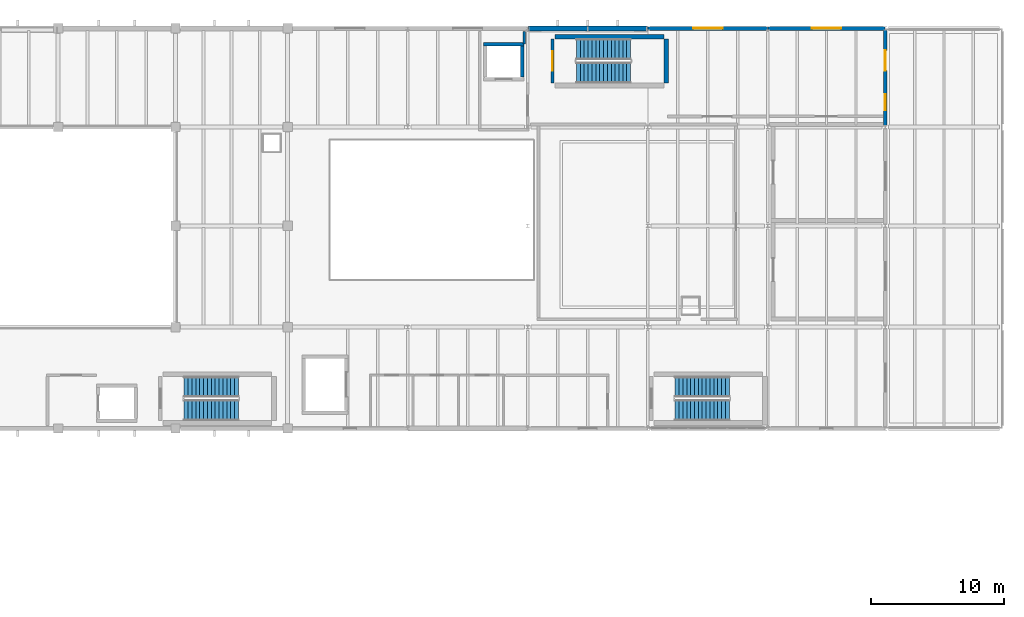
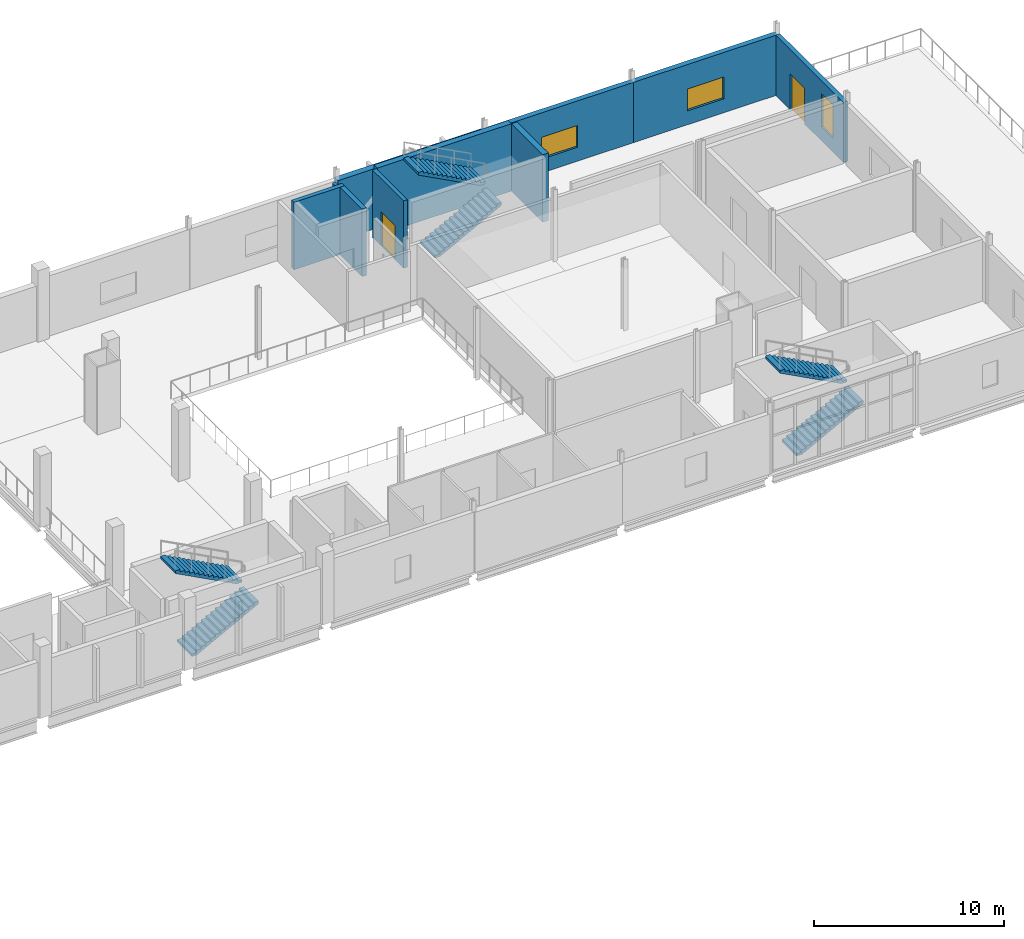
# One storey, part 32 of 37: 10 walls, 6 stair flights, 3 windows, 2 doors, 5 openings, 3 elements without a shape of their own.
"""IFC4 building model written with IfcOpenShell, lengths in metres."""

from ifc_helpers import new_model, si_unit, direction, frame, frame_2d, origin, place, context, subcontext, project, spatial, polyline, rectangle, outline, extrude, material, layer, layer_set, type_object, element, fill, aggregate, save


model = new_model("IFC4")

# Units and contexts
model_context = context("Model", 3, precision=1e-05, world=origin(), true_north=direction((0.0, 1.0)))
body_context = subcontext(model_context, "Body", "Model", "MODEL_VIEW")
ifc_project = project(units=[si_unit("LENGTHUNIT", "METRE"), si_unit("AREAUNIT", "SQUARE_METRE"), si_unit("VOLUMEUNIT", "CUBIC_METRE"), si_unit("PLANEANGLEUNIT", "RADIAN"), si_unit("MASSUNIT", "GRAM", prefix="KILO")], contexts=[model_context])

# Site, building, storey
site_placement = place(None, origin())
site = spatial("IfcSite", under=ifc_project, at=site_placement, CompositionType="ELEMENT")
building_placement = place(site_placement, origin())
building = spatial("IfcBuilding", under=site, at=building_placement, Name="Shengluoqiao Park Theatre", CompositionType="ELEMENT")
storey_placement = place(building_placement, frame((0.0, 0.0, 19.199951171875)))
storey = spatial("IfcBuildingStorey", under=building, at=storey_placement, Name="L04", CompositionType="ELEMENT", Elevation=19.199951171875)

# Wall, openings, door, window
ifc_material_1 = material(Name="Concrete C40", Category="concrete")
ifc_layer_1 = layer(ifc_material_1, 0.27001953125, Name="Concrete C40")
ifc_layer_set_1 = layer_set([ifc_layer_1], Name="Concrete C40")
wall_type_1 = type_object("IfcWallType", Name="ENV-WL-CONC270", PredefinedType="STANDARD", material=ifc_layer_set_1)
wall_1_placement = place(storey_placement, frame((157.199951171875, 106.72900390625, 0.0), z_axis=(0.0, 0.0, 1.0), x_axis=(0.0, 1.0, 0.0)))
wall_1 = element("IfcWall", 1, at=wall_1_placement, inside=storey, type_object=wall_type_1, Name="L04 Exterior Wall 0263", PredefinedType="STANDARD", context=body_context, shape_type="SweptSolid", body=[
    extrude(rectangle(XDim=7.14208984375, YDim=0.27001953125, at=frame_2d((3.571044921875, 0.0))), origin(), (0.0, 0.0, 1.0), 3.8779296875),
])
opening_1_placement = place(wall_1_placement, frame((1.114013671875, 0.0, 0.89990234375)))
opening_1 = element("IfcOpeningElement", 2, at=opening_1_placement, cuts=wall_1, Name="Opening W-04", PredefinedType="OPENING", context=body_context, shape_type="SweptSolid", body=[
    extrude(rectangle(XDim=1.199951171875, YDim=2.14990234375, at=frame_2d((0.60009765625, 1.074951171875))), frame((0.0, 0.14501953125, 0.0), z_axis=(0.0, -1.0, 0.0), x_axis=(1.0, 0.0, 0.0)), (0.0, 0.0, 1.0), 0.2900390625),
])
opening_2_placement = place(wall_1_placement, frame((4.0966796875, 0.0, 0.0)))
opening_2 = element("IfcOpeningElement", 3, at=opening_2_placement, cuts=wall_1, Name="Opening TD-RG6-022", PredefinedType="OPENING", context=body_context, shape_type="SweptSolid", body=[
    extrude(rectangle(XDim=1.52001953125, YDim=2.300048828125, at=frame_2d((0.760009765625, 1.14990234375))), frame((0.0, 0.14501953125, 0.0), z_axis=(0.0, -1.0, 0.0), x_axis=(1.0, 0.0, 0.0)), (0.0, 0.0, 1.0), 0.2900390625),
])
ifc_material_2 = material(Name="Aluminium 6063-T6", Category="aluminium")
door_type_1 = type_object("IfcDoorType", Name="ENV-DR-TER152", OperationType="DOUBLE_DOOR_SINGLE_SWING", PredefinedType="DOOR", material=ifc_material_2)
door_1_placement = place(opening_2_placement, origin())
door_1 = element("IfcDoor", 4, at=door_1_placement, inside=storey, type_object=door_type_1, Name="V6 East Roof Garden Terrace Door TD-RG6-022", OperationType="DOUBLE_DOOR_SINGLE_SWING", OverallHeight=2.300048828125, OverallWidth=1.52001953125, PredefinedType="DOOR", context=body_context, shape_type="SweptSolid", body=[
    extrude(rectangle(XDim=1.52001953125, YDim=2.300048828125, at=frame_2d((0.760009765625, 1.14990234375))), frame((0.0, 0.02490234375, 0.0), z_axis=(0.0, -1.0, 0.0), x_axis=(1.0, 0.0, 0.0)), (0.0, 0.0, 1.0), 0.050048828125),
])
fill(opening_2, door_1)
ifc_material_3 = material(Name="Insulated glass", Category="glass")
window_type_1 = type_object("IfcWindowType", Name="ENV-WIN-W04", PartitioningType="SINGLE_PANEL", PredefinedType="WINDOW", material=ifc_material_3)
window_1_placement = place(opening_1_placement, origin())
window_1 = element("IfcWindow", 5, at=window_1_placement, inside=storey, type_object=window_type_1, Name="L04 Acoustic Window 0103", OverallHeight=2.14990234375, OverallWidth=1.199951171875, PartitioningType="SINGLE_PANEL", PredefinedType="WINDOW", context=body_context, shape_type="SweptSolid", body=[
    extrude(rectangle(XDim=1.199951171875, YDim=2.14990234375, at=frame_2d((0.60009765625, 1.074951171875))), frame((0.0, 0.030029296875, 0.0), z_axis=(0.0, -1.0, 0.0), x_axis=(1.0, 0.0, 0.0)), (0.0, 0.0, 1.0), 0.06005859375),
])
fill(opening_1, window_1)

# Wall, opening, window
ifc_layer_2 = layer(ifc_material_1, 0.31005859375, Name="Concrete C40")
ifc_layer_set_2 = layer_set([ifc_layer_2], Name="Concrete C40")
wall_type_2 = type_object("IfcWallType", Name="ENV-WL-CONC310", PredefinedType="STANDARD", material=ifc_layer_set_2)
wall_2_placement = place(storey_placement, frame((139.409912109375, 114.0, 0.0), z_axis=(0.0, 0.0, 1.0), x_axis=(1.0, 0.0, 0.0)))
wall_2 = element("IfcWall", 6, at=wall_2_placement, inside=storey, type_object=wall_type_2, Name="L04 Exterior Wall 0254", PredefinedType="STANDARD", context=body_context, shape_type="SweptSolid", body=[
    extrude(rectangle(XDim=8.97998046875, YDim=0.31005859375, at=frame_2d((4.489990234375, 0.0))), origin(), (0.0, 0.0, 1.0), 3.8779296875),
])
opening_3_placement = place(wall_2_placement, frame((3.389892578125, 0.0, 0.89990234375)))
opening_3 = element("IfcOpeningElement", 7, at=opening_3_placement, cuts=wall_2, Name="Opening W-10", PredefinedType="OPENING", context=body_context, shape_type="SweptSolid", body=[
    extrude(rectangle(XDim=2.199951171875, YDim=1.39990234375, at=frame_2d((1.10009765625, 0.699951171875))), frame((0.0, 0.1650390625, 0.0), z_axis=(0.0, -1.0, 0.0), x_axis=(1.0, 0.0, 0.0)), (0.0, 0.0, 1.0), 0.330078125),
])
window_type_2 = type_object("IfcWindowType", Name="ENV-WIN-W10", PartitioningType="DOUBLE_PANEL_VERTICAL", PredefinedType="WINDOW", material=ifc_material_3)
window_2_placement = place(opening_3_placement, origin())
window_2 = element("IfcWindow", 8, at=window_2_placement, inside=storey, type_object=window_type_2, Name="L04 Acoustic Window 0095", OverallHeight=1.39990234375, OverallWidth=2.199951171875, PartitioningType="DOUBLE_PANEL_VERTICAL", PredefinedType="WINDOW", context=body_context, shape_type="SweptSolid", body=[
    extrude(rectangle(XDim=2.199951171875, YDim=1.39990234375, at=frame_2d((1.10009765625, 0.699951171875))), frame((0.0, 0.030029296875, 0.0), z_axis=(0.0, -1.0, 0.0), x_axis=(1.0, 0.0, 0.0)), (0.0, 0.0, 1.0), 0.06005859375),
])
fill(opening_3, window_2)

wall_3_placement = place(storey_placement, frame((148.409912109375, 114.0, 0.0), z_axis=(0.0, 0.0, 1.0), x_axis=(1.0, 0.0, 0.0)))
wall_3 = element("IfcWall", 9, at=wall_3_placement, inside=storey, type_object=wall_type_2, Name="L04 Exterior Wall 0255", PredefinedType="STANDARD", context=body_context, shape_type="SweptSolid", body=[
    extrude(rectangle(XDim=8.780029296875, YDim=0.31005859375, at=frame_2d((4.39013671875, 0.0))), origin(), (0.0, 0.0, 1.0), 3.8779296875),
])
opening_4_placement = place(wall_3_placement, frame((3.2900390625, 0.0, 0.89990234375)))
opening_4 = element("IfcOpeningElement", 10, at=opening_4_placement, cuts=wall_3, Name="Opening W-10", PredefinedType="OPENING", context=body_context, shape_type="SweptSolid", body=[
    extrude(rectangle(XDim=2.199951171875, YDim=1.39990234375, at=frame_2d((1.10009765625, 0.699951171875))), frame((0.0, 0.1650390625, 0.0), z_axis=(0.0, -1.0, 0.0), x_axis=(1.0, 0.0, 0.0)), (0.0, 0.0, 1.0), 0.330078125),
])
window_3_placement = place(opening_4_placement, origin())
window_3 = element("IfcWindow", 11, at=window_3_placement, inside=storey, type_object=window_type_2, Name="L04 Acoustic Window 0096", OverallHeight=1.39990234375, OverallWidth=2.199951171875, PartitioningType="DOUBLE_PANEL_VERTICAL", PredefinedType="WINDOW", context=body_context, shape_type="SweptSolid", body=[
    extrude(rectangle(XDim=2.199951171875, YDim=1.39990234375, at=frame_2d((1.10009765625, 0.699951171875))), frame((0.0, 0.030029296875, 0.0), z_axis=(0.0, -1.0, 0.0), x_axis=(1.0, 0.0, 0.0)), (0.0, 0.0, 1.0), 0.06005859375),
])
fill(opening_4, window_3)

# Walls
ifc_material_4 = material(Name="Concrete C45", Category="concrete")
ifc_layer_3 = layer(ifc_material_4, 0.3798828125, Name="Concrete C45")
ifc_layer_set_3 = layer_set([ifc_layer_3], Name="Concrete C45")
wall_type_3 = type_object("IfcWallType", Name="ENV-WL-CONC380", PredefinedType="STANDARD", material=ifc_layer_set_3)
wall_4_placement = place(storey_placement, frame((130.409912109375, 114.0, 0.0), z_axis=(0.0, 0.0, 1.0), x_axis=(1.0, 0.0, 0.0)))
element("IfcWall", 12, at=wall_4_placement, inside=storey, type_object=wall_type_3, Name="L04 Exterior Wall 0253", PredefinedType="STANDARD", context=body_context, shape_type="SweptSolid", body=[
    extrude(rectangle(XDim=8.97998046875, YDim=0.3798828125, at=frame_2d((4.489990234375, 0.0))), origin(), (0.0, 0.0, 1.0), 3.8779296875),
])
ifc_material_5 = material(Name="Concrete blockwork B06", Category="masonry")
ifc_layer_4 = layer(ifc_material_5, 0.195068359375, Name="Concrete blockwork B06")
ifc_layer_set_4 = layer_set([ifc_layer_4], Name="Concrete blockwork B06")
wall_type_4 = type_object("IfcWallType", Name="INT-WL-FFL195", PredefinedType="PARTITIONING", material=ifc_layer_set_4)
wall_5_placement = place(storey_placement, frame((130.139892578125, 112.820068359375, 0.0), z_axis=(0.0, 0.0, 1.0), x_axis=(0.0, 1.0, 0.0)))
element("IfcWall", 13, at=wall_5_placement, inside=storey, type_object=wall_type_4, Name="L04 Firefighting Lift Lobby FF2 Fire Wall N", PredefinedType="PARTITIONING", context=body_context, shape_type="SweptSolid", body=[
    extrude(rectangle(XDim=0.9599609375, YDim=0.195068359375, at=frame_2d((0.47998046875, 0.0))), origin(), (0.0, 0.0, 1.0), 3.8779296875),
])
ifc_layer_5 = layer(ifc_material_1, 0.260009765625, Name="Concrete C40")
ifc_layer_set_5 = layer_set([ifc_layer_5], Name="Concrete C40")
wall_type_5 = type_object("IfcWallType", Name="INT-WL-SHF260", PredefinedType="STANDARD", material=ifc_layer_set_5)
wall_6_placement = place(storey_placement, frame((127.070068359375, 112.800048828125, 0.0), z_axis=(0.0, 0.0, 1.0), x_axis=(1.0, 0.0, 0.0)))
element("IfcWall", 14, at=wall_6_placement, inside=storey, type_object=wall_type_5, Name="L04 FF2 Lift Shaft Wall North", PredefinedType="STANDARD", context=body_context, shape_type="SweptSolid", body=[
    extrude(rectangle(XDim=3.059814453125, YDim=0.260009765625, at=frame_2d((1.52978515625, 0.0))), origin(), (0.0, 0.0, 1.0), 4.340087890625),
])
wall_7_placement = place(storey_placement, frame((130.0, 110.3359375, 0.0), z_axis=(0.0, 0.0, 1.0), x_axis=(0.0, 1.0, 0.0)))
element("IfcWall", 15, at=wall_7_placement, inside=storey, type_object=wall_type_5, Name="L04 FF2 Lift Shaft Wall East", PredefinedType="STANDARD", context=body_context, shape_type="SweptSolid", body=[
    extrude(rectangle(XDim=2.328125, YDim=0.260009765625, at=frame_2d((1.1640625, 0.0))), origin(), (0.0, 0.0, 1.0), 4.340087890625),
])

# Wall, opening, door
ifc_layer_6 = layer(ifc_material_1, 0.239990234375, Name="Concrete C40")
ifc_layer_set_6 = layer_set([ifc_layer_6], Name="Concrete C40")
wall_type_6 = type_object("IfcWallType", Name="INT-WL-STW240", PredefinedType="STANDARD", material=ifc_layer_set_6)
wall_8_placement = place(storey_placement, frame((132.260009765625, 109.909912109375, 0.0), z_axis=(0.0, 0.0, 1.0), x_axis=(0.0, 1.0, 0.0)))
wall_8 = element("IfcWall", 16, at=wall_8_placement, inside=storey, type_object=wall_type_6, Name="L04 ST-06 Stairwell Fire Wall", PredefinedType="STANDARD", context=body_context, shape_type="SweptSolid", body=[
    extrude(rectangle(XDim=3.280029296875, YDim=0.239990234375, at=frame_2d((1.64013671875, 0.0))), origin(), (0.0, 0.0, 1.0), 4.340087890625),
])
opening_5_placement = place(wall_8_placement, frame((0.9150390625, 0.0, 0.0)))
opening_5 = element("IfcOpeningElement", 17, at=opening_5_placement, cuts=wall_8, Name="Opening SD-06-L04", PredefinedType="OPENING", context=body_context, shape_type="SweptSolid", body=[
    extrude(rectangle(XDim=1.449951171875, YDim=2.199951171875, at=frame_2d((0.72509765625, 1.10009765625))), frame((0.0, 0.1298828125, 0.0), z_axis=(0.0, -1.0, 0.0), x_axis=(1.0, 0.0, 0.0)), (0.0, 0.0, 1.0), 0.260009765625),
])
ifc_material_6 = material(Name="Steel Q355", Category="steel")
door_type_2 = type_object("IfcDoorType", Name="INT-DR-STW145", OperationType="DOUBLE_DOOR_SINGLE_SWING", PredefinedType="DOOR", material=ifc_material_6)
door_2_placement = place(opening_5_placement, origin())
door_2 = element("IfcDoor", 18, at=door_2_placement, inside=storey, type_object=door_type_2, Name="L04 ST-06 Escape Stair Door SD-06-L04", OperationType="DOUBLE_DOOR_SINGLE_SWING", OverallHeight=2.199951171875, OverallWidth=1.449951171875, PredefinedType="DOOR", context=body_context, shape_type="SweptSolid", body=[
    extrude(rectangle(XDim=1.449951171875, YDim=2.199951171875, at=frame_2d((0.72509765625, 1.10009765625))), frame((0.0, 0.02490234375, 0.0), z_axis=(0.0, -1.0, 0.0), x_axis=(1.0, 0.0, 0.0)), (0.0, 0.0, 1.0), 0.050048828125),
])
fill(opening_5, door_2)

# Walls
ifc_material_7 = material(Name="Concrete C50", Category="concrete")
ifc_layer_7 = layer(ifc_material_7, 0.35009765625, Name="Concrete C50")
ifc_layer_set_7 = layer_set([ifc_layer_7], Name="Concrete C50")
wall_type_7 = type_object("IfcWallType", Name="STR-SW-CORE350", PredefinedType="SHEAR", material=ifc_layer_set_7)
wall_9_placement = place(storey_placement, frame((140.780029296875, 109.89990234375, 0.0), z_axis=(0.0, 0.0, 1.0), x_axis=(0.0, 1.0, 0.0)))
element("IfcWall", 19, at=wall_9_placement, inside=storey, type_object=wall_type_7, Name="L04 ST-06 Core Far Shear Wall 0122", PredefinedType="SHEAR", context=body_context, shape_type="SweptSolid", body=[
    extrude(rectangle(XDim=3.300048828125, YDim=0.35009765625, at=frame_2d((1.64990234375, 0.0))), origin(), (0.0, 0.0, 1.0), 4.340087890625),
])
wall_10_placement = place(storey_placement, frame((140.60009765625, 113.3798828125, 0.0), z_axis=(0.0, 0.0, 1.0), x_axis=(-1.0, 0.0, 0.0)))
element("IfcWall", 20, at=wall_10_placement, inside=storey, type_object=wall_type_7, Name="L04 ST-06 Core Right Shear Wall 0123", PredefinedType="SHEAR", context=body_context, shape_type="SweptSolid", body=[
    extrude(rectangle(XDim=8.150146484375, YDim=0.35009765625, at=frame_2d((4.0751953125, 0.0))), origin(), (0.0, 0.0, 1.0), 4.340087890625),
])

# Stair, stair flights
stair_type = type_object("IfcStairType", Name="INT-STR-CORE", PredefinedType="HALF_TURN_STAIR", material=ifc_material_1)
stair_1_placement = place(storey_placement, origin())
stair_1 = element("IfcStair", 21, at=stair_1_placement, inside=storey, type_object=stair_type, Name="L04 Stage and Fly Tower Escape Stair 05", PredefinedType="HALF_TURN_STAIR")
ifc_layer_8 = layer(ifc_material_1, 0.159912109375, Name="Concrete C40")
ifc_layer_set_8 = layer_set([ifc_layer_8], Name="Concrete C40")
stair_flight_type = type_object("IfcStairFlightType", Name="INT-SFL-156", PredefinedType="STRAIGHT", material=ifc_layer_set_8)
stair_flight_1_placement = place(storey_placement, frame((104.64990234375, 85.3798828125, 0.0), z_axis=(0.0, 0.0, 1.0), x_axis=(1.0, 0.0, 0.0)))
stair_flight_1 = element("IfcStairFlight", 22, at=stair_flight_1_placement, type_object=stair_flight_type, Name="ST-05 flight 1", NumberOfRisers=15, NumberOfTreads=14, PredefinedType="STRAIGHT", RiserHeight=0.153333333, TreadLength=0.29, context=body_context, shape_type="SweptSolid", body=[
    extrude(outline(polyline([(0.0, 0.0), (0.0, 0.1533203125), (0.2900390625, 0.1533203125), (0.2900390625, 0.306640625), (0.580078125, 0.306640625), (0.580078125, 0.4599609375), (0.8701171875, 0.4599609375), (0.8701171875, 0.61328125), (1.159912109375, 0.61328125), (1.159912109375, 0.7666015625), (1.449951171875, 0.7666015625), (1.449951171875, 0.919921875), (1.739990234375, 0.919921875), (1.739990234375, 1.0732421875), (2.030029296875, 1.0732421875), (2.030029296875, 1.2265625), (2.320068359375, 1.2265625), (2.320068359375, 1.3798828125), (2.610107421875, 1.3798828125), (2.610107421875, 1.533447265625), (2.89990234375, 1.533447265625), (2.89990234375, 1.686767578125), (3.18994140625, 1.686767578125), (3.18994140625, 1.840087890625), (3.47998046875, 1.840087890625), (3.47998046875, 1.993408203125), (3.77001953125, 1.993408203125), (3.77001953125, 2.146728515625), (4.06005859375, 2.146728515625), (4.06005859375, 2.300048828125), (4.06005859375, 1.97705078125), (0.32080078125, 0.0), (0.0, 0.0)])), frame((0.0, 0.780029296875, 0.0), z_axis=(0.0, -1.0, 0.0), x_axis=(1.0, 0.0, 0.0)), (0.0, 0.0, 1.0), 1.56005859375),
])
stair_flight_2_placement = place(storey_placement, frame((108.7099609375, 87.1201171875, 2.300048828125), z_axis=(0.0, 0.0, 1.0), x_axis=(-1.0, 0.0, 0.0)))
stair_flight_2 = element("IfcStairFlight", 23, at=stair_flight_2_placement, type_object=stair_flight_type, Name="ST-05 flight 2", NumberOfRisers=15, NumberOfTreads=14, PredefinedType="STRAIGHT", RiserHeight=0.153333333, TreadLength=0.29, context=body_context, shape_type="SweptSolid", body=[
    extrude(outline(polyline([(0.0, 0.0), (0.0, 0.1533203125), (0.2900390625, 0.1533203125), (0.2900390625, 0.306640625), (0.580078125, 0.306640625), (0.580078125, 0.4599609375), (0.8701171875, 0.4599609375), (0.8701171875, 0.61328125), (1.159912109375, 0.61328125), (1.159912109375, 0.7666015625), (1.449951171875, 0.7666015625), (1.449951171875, 0.919921875), (1.739990234375, 0.919921875), (1.739990234375, 1.0732421875), (2.030029296875, 1.0732421875), (2.030029296875, 1.2265625), (2.320068359375, 1.2265625), (2.320068359375, 1.3798828125), (2.610107421875, 1.3798828125), (2.610107421875, 1.533447265625), (2.89990234375, 1.533447265625), (2.89990234375, 1.686767578125), (3.18994140625, 1.686767578125), (3.18994140625, 1.840087890625), (3.47998046875, 1.840087890625), (3.47998046875, 1.993408203125), (3.77001953125, 1.993408203125), (3.77001953125, 2.146728515625), (4.06005859375, 2.146728515625), (4.06005859375, 2.300048828125), (4.06005859375, 1.97705078125), (0.32080078125, 0.0), (0.0, 0.0)])), frame((0.0, 0.780029296875, 0.0), z_axis=(0.0, -1.0, 0.0), x_axis=(1.0, 0.0, 0.0)), (0.0, 0.0, 1.0), 1.56005859375),
])
aggregate(stair_1, [stair_flight_1, stair_flight_2])

stair_2_placement = place(storey_placement, origin())
stair_2 = element("IfcStair", 24, at=stair_2_placement, inside=storey, type_object=stair_type, Name="L04 Backstage and Workshop Escape Stair 06", PredefinedType="HALF_TURN_STAIR")
stair_flight_3_placement = place(storey_placement, frame((134.050048828125, 110.679931640625, 0.0), z_axis=(0.0, 0.0, 1.0), x_axis=(1.0, 0.0, 0.0)))
stair_flight_3 = element("IfcStairFlight", 25, at=stair_flight_3_placement, type_object=stair_flight_type, Name="ST-06 flight 1", NumberOfRisers=15, NumberOfTreads=14, PredefinedType="STRAIGHT", RiserHeight=0.153333333, TreadLength=0.29, context=body_context, shape_type="SweptSolid", body=[
    extrude(outline(polyline([(0.0, 0.0), (0.0, 0.1533203125), (0.2900390625, 0.1533203125), (0.2900390625, 0.306640625), (0.580078125, 0.306640625), (0.580078125, 0.4599609375), (0.8701171875, 0.4599609375), (0.8701171875, 0.61328125), (1.159912109375, 0.61328125), (1.159912109375, 0.7666015625), (1.449951171875, 0.7666015625), (1.449951171875, 0.919921875), (1.739990234375, 0.919921875), (1.739990234375, 1.0732421875), (2.030029296875, 1.0732421875), (2.030029296875, 1.2265625), (2.320068359375, 1.2265625), (2.320068359375, 1.3798828125), (2.610107421875, 1.3798828125), (2.610107421875, 1.533447265625), (2.89990234375, 1.533447265625), (2.89990234375, 1.686767578125), (3.18994140625, 1.686767578125), (3.18994140625, 1.840087890625), (3.47998046875, 1.840087890625), (3.47998046875, 1.993408203125), (3.77001953125, 1.993408203125), (3.77001953125, 2.146728515625), (4.06005859375, 2.146728515625), (4.06005859375, 2.300048828125), (4.06005859375, 1.97705078125), (0.32080078125, 0.0), (0.0, 0.0)])), frame((0.0, 0.780029296875, 0.0), z_axis=(0.0, -1.0, 0.0), x_axis=(1.0, 0.0, 0.0)), (0.0, 0.0, 1.0), 1.56005859375),
])
stair_flight_4_placement = place(storey_placement, frame((138.110107421875, 112.419921875, 2.300048828125), z_axis=(0.0, 0.0, 1.0), x_axis=(-1.0, 0.0, 0.0)))
stair_flight_4 = element("IfcStairFlight", 26, at=stair_flight_4_placement, type_object=stair_flight_type, Name="ST-06 flight 2", NumberOfRisers=15, NumberOfTreads=14, PredefinedType="STRAIGHT", RiserHeight=0.153333333, TreadLength=0.29, context=body_context, shape_type="SweptSolid", body=[
    extrude(outline(polyline([(0.0, 0.0), (0.0, 0.1533203125), (0.2900390625, 0.1533203125), (0.2900390625, 0.306640625), (0.580078125, 0.306640625), (0.580078125, 0.4599609375), (0.8701171875, 0.4599609375), (0.8701171875, 0.61328125), (1.159912109375, 0.61328125), (1.159912109375, 0.7666015625), (1.449951171875, 0.7666015625), (1.449951171875, 0.919921875), (1.739990234375, 0.919921875), (1.739990234375, 1.0732421875), (2.030029296875, 1.0732421875), (2.030029296875, 1.2265625), (2.320068359375, 1.2265625), (2.320068359375, 1.3798828125), (2.610107421875, 1.3798828125), (2.610107421875, 1.533447265625), (2.89990234375, 1.533447265625), (2.89990234375, 1.686767578125), (3.18994140625, 1.686767578125), (3.18994140625, 1.840087890625), (3.47998046875, 1.840087890625), (3.47998046875, 1.993408203125), (3.77001953125, 1.993408203125), (3.77001953125, 2.146728515625), (4.06005859375, 2.146728515625), (4.06005859375, 2.300048828125), (4.06005859375, 1.97705078125), (0.32080078125, 0.0), (0.0, 0.0)])), frame((0.0, 0.780029296875, 0.0), z_axis=(0.0, -1.0, 0.0), x_axis=(1.0, 0.0, 0.0)), (0.0, 0.0, 1.0), 1.56005859375),
])
aggregate(stair_2, [stair_flight_3, stair_flight_4])

stair_3_placement = place(storey_placement, origin())
stair_3 = element("IfcStair", 27, at=stair_3_placement, inside=storey, type_object=stair_type, Name="L04 Upper Backstage Escape Stair 10", PredefinedType="HALF_TURN_STAIR")
stair_flight_5_placement = place(storey_placement, frame((141.449951171875, 85.3798828125, 0.0), z_axis=(0.0, 0.0, 1.0), x_axis=(1.0, 0.0, 0.0)))
stair_flight_5 = element("IfcStairFlight", 28, at=stair_flight_5_placement, type_object=stair_flight_type, Name="ST-10 flight 1", NumberOfRisers=15, NumberOfTreads=14, PredefinedType="STRAIGHT", RiserHeight=0.153333333, TreadLength=0.29, context=body_context, shape_type="SweptSolid", body=[
    extrude(outline(polyline([(0.0, 0.0), (0.0, 0.1533203125), (0.2900390625, 0.1533203125), (0.2900390625, 0.306640625), (0.580078125, 0.306640625), (0.580078125, 0.4599609375), (0.8701171875, 0.4599609375), (0.8701171875, 0.61328125), (1.159912109375, 0.61328125), (1.159912109375, 0.7666015625), (1.449951171875, 0.7666015625), (1.449951171875, 0.919921875), (1.739990234375, 0.919921875), (1.739990234375, 1.0732421875), (2.030029296875, 1.0732421875), (2.030029296875, 1.2265625), (2.320068359375, 1.2265625), (2.320068359375, 1.3798828125), (2.610107421875, 1.3798828125), (2.610107421875, 1.533447265625), (2.89990234375, 1.533447265625), (2.89990234375, 1.686767578125), (3.18994140625, 1.686767578125), (3.18994140625, 1.840087890625), (3.47998046875, 1.840087890625), (3.47998046875, 1.993408203125), (3.77001953125, 1.993408203125), (3.77001953125, 2.146728515625), (4.06005859375, 2.146728515625), (4.06005859375, 2.300048828125), (4.06005859375, 1.97705078125), (0.32080078125, 0.0), (0.0, 0.0)])), frame((0.0, 0.780029296875, 0.0), z_axis=(0.0, -1.0, 0.0), x_axis=(1.0, 0.0, 0.0)), (0.0, 0.0, 1.0), 1.56005859375),
])
stair_flight_6_placement = place(storey_placement, frame((145.510009765625, 87.1201171875, 2.300048828125), z_axis=(0.0, 0.0, 1.0), x_axis=(-1.0, 0.0, 0.0)))
stair_flight_6 = element("IfcStairFlight", 29, at=stair_flight_6_placement, type_object=stair_flight_type, Name="ST-10 flight 2", NumberOfRisers=15, NumberOfTreads=14, PredefinedType="STRAIGHT", RiserHeight=0.153333333, TreadLength=0.29, context=body_context, shape_type="SweptSolid", body=[
    extrude(outline(polyline([(0.0, 0.0), (0.0, 0.1533203125), (0.2900390625, 0.1533203125), (0.2900390625, 0.306640625), (0.580078125, 0.306640625), (0.580078125, 0.4599609375), (0.8701171875, 0.4599609375), (0.8701171875, 0.61328125), (1.159912109375, 0.61328125), (1.159912109375, 0.7666015625), (1.449951171875, 0.7666015625), (1.449951171875, 0.919921875), (1.739990234375, 0.919921875), (1.739990234375, 1.0732421875), (2.030029296875, 1.0732421875), (2.030029296875, 1.2265625), (2.320068359375, 1.2265625), (2.320068359375, 1.3798828125), (2.610107421875, 1.3798828125), (2.610107421875, 1.533447265625), (2.89990234375, 1.533447265625), (2.89990234375, 1.686767578125), (3.18994140625, 1.686767578125), (3.18994140625, 1.840087890625), (3.47998046875, 1.840087890625), (3.47998046875, 1.993408203125), (3.77001953125, 1.993408203125), (3.77001953125, 2.146728515625), (4.06005859375, 2.146728515625), (4.06005859375, 2.300048828125), (4.06005859375, 1.97705078125), (0.32080078125, 0.0), (0.0, 0.0)])), frame((0.0, 0.780029296875, 0.0), z_axis=(0.0, -1.0, 0.0), x_axis=(1.0, 0.0, 0.0)), (0.0, 0.0, 1.0), 1.56005859375),
])
aggregate(stair_3, [stair_flight_5, stair_flight_6])

save(model, "model.ifc")
